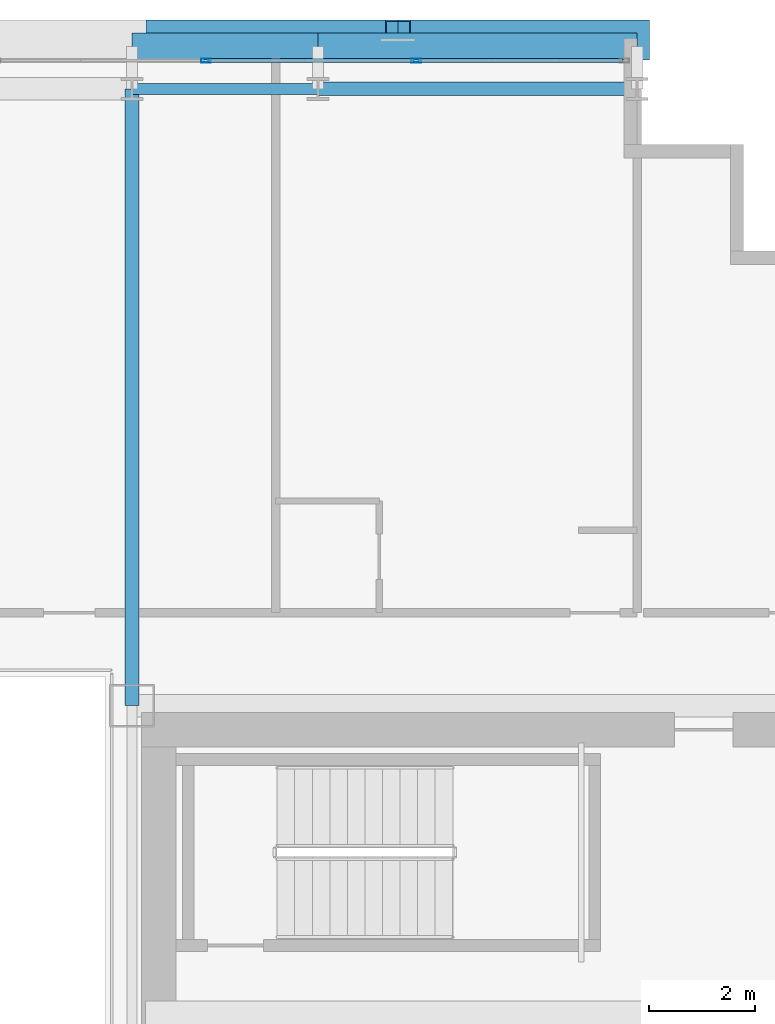
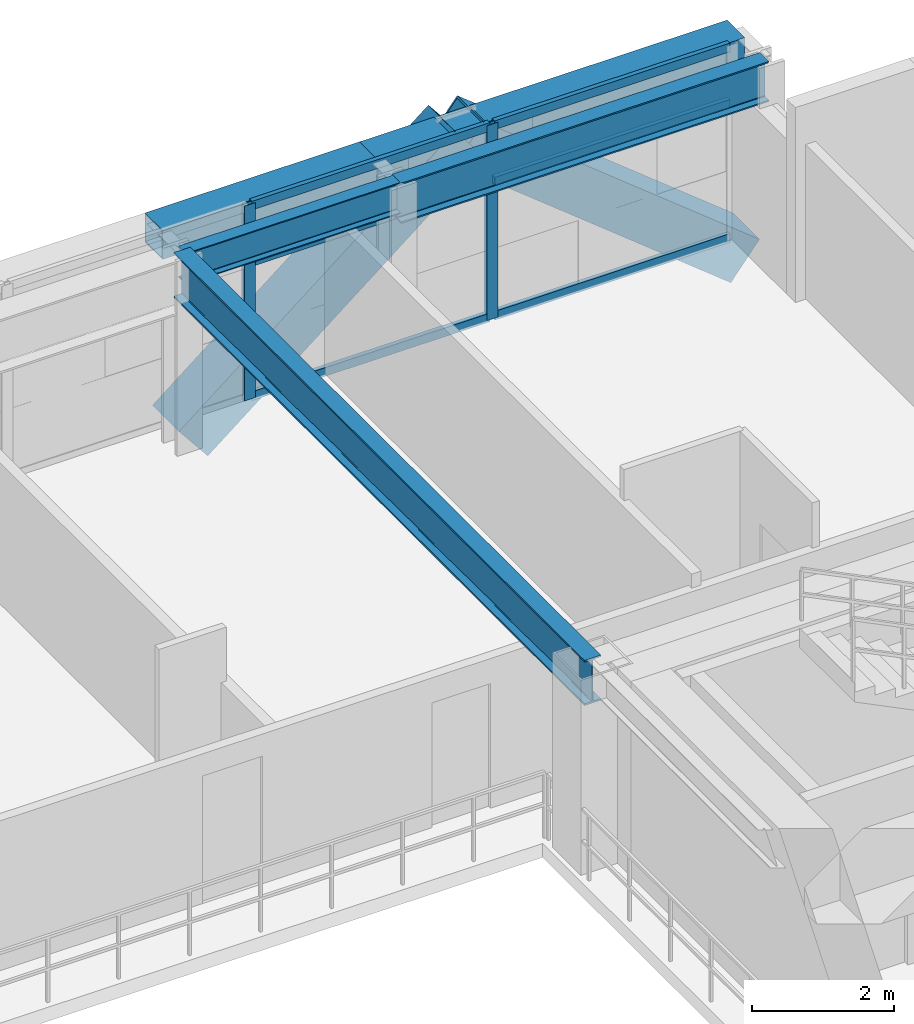
# One storey, part 21 of 34: 10 members, 5 beams, 1 element without a shape of its own.
"""IFC4 building model written with IfcOpenShell, lengths in metres."""

from ifc_helpers import new_model, si_unit, direction, frame, origin, origin_2d, place, context, subcontext, project, spatial, hollow_rectangle, i_section, extrude, source, transform, mapped, material, layer, layer_set, material_profile, profile_set, type_object, element, aggregate, save


model = new_model("IFC4")

# Units and contexts
model_context = context("Model", 3, precision=1e-05, world=origin(), true_north=direction((0.0, 1.0)))
body_context = subcontext(model_context, "Body", "Model", "MODEL_VIEW")
ifc_project = project(units=[si_unit("LENGTHUNIT", "METRE"), si_unit("AREAUNIT", "SQUARE_METRE"), si_unit("VOLUMEUNIT", "CUBIC_METRE"), si_unit("PLANEANGLEUNIT", "RADIAN"), si_unit("MASSUNIT", "GRAM", prefix="KILO")], contexts=[model_context])

# Site, building, storey
site_placement = place(None, origin())
site = spatial("IfcSite", under=ifc_project, at=site_placement, CompositionType="ELEMENT")
building_placement = place(site_placement, origin())
building = spatial("IfcBuilding", under=site, at=building_placement, Name="Ocotamira Hotel", CompositionType="ELEMENT")
storey_placement = place(building_placement, frame((0.0, 0.0, 111.60009765625)))
storey = spatial("IfcBuildingStorey", under=building, at=storey_placement, Name="L27", CompositionType="ELEMENT", Elevation=111.60009765625)

# Beams
ifc_material_1 = material(Name="Steel ASTM A992 Grade 50", Category="steel")
ifc_material_profile_1 = material_profile(ifc_material_1, i_section(OverallWidth=0.256103515625, OverallDepth=0.693115234375, WebThickness=0.014404296875, FlangeThickness=0.023681640625, FilletRadius=0.01611328125, at=origin_2d()), Name="W27X114")
ifc_profile_set_1 = profile_set([ifc_material_profile_1], Name="Steel ASTM A992 Grade 50")
beam_type_1 = type_object("IfcBeamType", Name="BM-PRIM-W27X114", PredefinedType="BEAM", material=ifc_profile_set_1)
shared_shape_1 = source(origin(), body_context, "Body", "SweptSolid", [
    extrude(i_section(OverallWidth=0.256103515625, OverallDepth=0.693115234375, WebThickness=0.014404296875, FlangeThickness=0.023681640625, FilletRadius=0.01611328125, at=origin_2d()), origin(), (0.0, 0.0, 1.0), 6.0),
])
beam_1_placement = place(storey_placement, frame((44.0, 49.050048828125, 3.013427734375), z_axis=(1.0, 0.0, 0.0), x_axis=(0.0, 1.0, 0.0)))
element("IfcBeam", 1, at=beam_1_placement, inside=storey, type_object=beam_type_1, Name="L27 Girder Y49.05 X44-50", PredefinedType="BEAM", context=body_context, shape_type="MappedRepresentation", body=[
    mapped(shared_shape_1, transform((0.0, 0.0, 0.0), scale=1.0)),
])
ifc_material_profile_2 = material_profile(ifc_material_1, i_section(OverallWidth=0.2099609375, OverallDepth=0.537109375, WebThickness=0.010986328125, FlangeThickness=0.017333984375, FilletRadius=0.012939453125, at=origin_2d()), Name="W21X68")
ifc_profile_set_2 = profile_set([ifc_material_profile_2], Name="Steel ASTM A992 Grade 50")
beam_type_2 = type_object("IfcBeamType", Name="BM-SEC-W21X68", PredefinedType="JOIST", material=ifc_profile_set_2)
shared_shape_2 = source(origin(), body_context, "Body", "SweptSolid", [
    extrude(i_section(OverallWidth=0.2099609375, OverallDepth=0.537109375, WebThickness=0.010986328125, FlangeThickness=0.017333984375, FilletRadius=0.012939453125, at=origin_2d()), origin(), (0.0, 0.0, 1.0), 3.5),
])
beam_2_placement = place(storey_placement, frame((40.5, 49.050048828125, 3.09130859375), z_axis=(1.0, 0.0, 0.0), x_axis=(0.0, 1.0, 0.0)))
element("IfcBeam", 2, at=beam_2_placement, inside=storey, type_object=beam_type_2, Name="L27 Girder Y49.05 X40.5-44", PredefinedType="JOIST", context=body_context, shape_type="MappedRepresentation", body=[
    mapped(shared_shape_2, transform((0.0, 0.0, 0.0), scale=1.0)),
])
ifc_material_profile_3 = material_profile(ifc_material_1, i_section(OverallWidth=0.26611328125, OverallDepth=0.779052734375, WebThickness=0.0166015625, FlangeThickness=0.030029296875, FilletRadius=0.01806640625, at=origin_2d()), Name="W30X148")
ifc_profile_set_3 = profile_set([ifc_material_profile_3], Name="Steel ASTM A992 Grade 50")
beam_type_3 = type_object("IfcBeamType", Name="BM-GIRD-W30X148", PredefinedType="BEAM", material=ifc_profile_set_3)
shared_shape_3 = source(origin(), body_context, "Body", "SweptSolid", [
    extrude(i_section(OverallWidth=0.26611328125, OverallDepth=0.779052734375, WebThickness=0.0166015625, FlangeThickness=0.030029296875, FilletRadius=0.01806640625, at=origin_2d()), origin(), (0.0, 0.0, 1.0), 11.60009765625),
])
beam_3_placement = place(storey_placement, frame((40.5, 37.449951171875, 2.970458984375), z_axis=(0.0, 1.0, 0.0), x_axis=(-1.0, 0.0, 0.0)))
element("IfcBeam", 3, at=beam_3_placement, inside=storey, type_object=beam_type_3, Name="L27 Beam X40.5 Y37.45-49.05", PredefinedType="BEAM", context=body_context, shape_type="MappedRepresentation", body=[
    mapped(shared_shape_3, transform((0.0, 0.0, 0.0), scale=1.0)),
])
ifc_material_2 = material(Name="Steel ASTM A500 Grade C", Category="steel")
ifc_material_profile_4 = material_profile(ifc_material_2, hollow_rectangle(XDim=0.5, YDim=0.5, WallThickness=0.02001953125, at=origin_2d()), Name="HSS500X500X20")
ifc_profile_set_4 = profile_set([ifc_material_profile_4], Name="Steel ASTM A500 Grade C")
beam_type_4 = type_object("IfcBeamType", Name="BM-SPAN-HSS500", PredefinedType="USERDEFINED", material=ifc_profile_set_4)
shared_shape_4 = source(origin(), body_context, "Body", "SweptSolid", [
    extrude(hollow_rectangle(XDim=0.5, YDim=0.5, WallThickness=0.02001953125, at=origin_2d()), origin(), (0.0, 0.0, 1.0), 6.0),
])
beam_4_placement = place(storey_placement, frame((44.0, 49.85009765625, 3.10986328125), z_axis=(1.0, 0.0, 0.0), x_axis=(0.0, 1.0, 0.0)))
element("IfcBeam", 4, at=beam_4_placement, inside=storey, type_object=beam_type_4, Name="L27 Edge Spandrel N X44-50", ObjectType="SPANDREL", PredefinedType="USERDEFINED", context=body_context, shape_type="MappedRepresentation", body=[
    mapped(shared_shape_4, transform((0.0, 0.0, 0.0), scale=1.0)),
])
shared_shape_5 = source(origin(), body_context, "Body", "SweptSolid", [
    extrude(hollow_rectangle(XDim=0.5, YDim=0.5, WallThickness=0.02001953125, at=origin_2d()), origin(), (0.0, 0.0, 1.0), 3.5),
])
beam_5_placement = place(storey_placement, frame((40.5, 49.85009765625, 3.10986328125), z_axis=(1.0, 0.0, 0.0), x_axis=(0.0, 1.0, 0.0)))
element("IfcBeam", 5, at=beam_5_placement, inside=storey, type_object=beam_type_4, Name="L27 Edge Spandrel N X40.5-44", ObjectType="SPANDREL", PredefinedType="USERDEFINED", context=body_context, shape_type="MappedRepresentation", body=[
    mapped(shared_shape_5, transform((0.0, 0.0, 0.0), scale=1.0)),
])

# Members
ifc_material_3 = material(Name="Pale-metal coated steel ASTM A913 Grade 65", Category="steel")
ifc_material_profile_5 = material_profile(ifc_material_3, hollow_rectangle(XDim=0.75, YDim=0.75, WallThickness=0.028076171875, at=origin_2d()), Name="BOX750X750X28")
ifc_profile_set_5 = profile_set([ifc_material_profile_5], Name="Pale-metal coated steel ASTM A913 Grade 65")
member_type_1 = type_object("IfcMemberType", Name="MEM-EXO-BOX750", PredefinedType="BRACE", material=ifc_profile_set_5)
shared_shape_6 = source(origin(), body_context, "Body", "SweptSolid", [
    extrude(hollow_rectangle(XDim=0.75, YDim=0.75, WallThickness=0.028076171875, at=origin_2d()), origin(), (0.0, 0.0, 1.0), 5.7626953125),
])
for number, where, z_axis, x_axis, name in (
    (6, (41.0, 49.969970703125, -0.489990234375), (0.780881208953, 0.0, 0.624679547852), (0.0, 1.0, 0.0), "L27 Exoskeleton Diagrid N3.1"),
    (7, (50.0, 49.969970703125, -0.489990234375), (-0.780881208953, 0.0, 0.624679547852), (0.0, -1.0, 0.0), "L27 Exoskeleton Diagrid N3.2"),
):
    element("IfcMember", number, at=place(storey_placement, frame(where, z_axis=z_axis, x_axis=x_axis)), inside=storey, type_object=member_type_1, Name=name, PredefinedType="BRACE", context=body_context, shape_type="MappedRepresentation", body=[
        mapped(shared_shape_6, transform((0.0, 0.0, 0.0), scale=1.0)),
    ])

# Curtain wall, members
ifc_material_4 = material(Name="Anodised pale-metal aluminium and solar glass", Category="aluminium")
ifc_layer = layer(ifc_material_4, 0.179931640625)
ifc_layer_set = layer_set([ifc_layer], Name="Anodised pale-metal aluminium and solar glass")
curtain_wall_type = type_object("IfcCurtainWallType", Name="CW-SYS3-Z2", PredefinedType="NOTDEFINED", material=ifc_layer_set)
curtain_wall_placement = place(storey_placement, origin())
curtain_wall = element("IfcCurtainWall", 8, at=curtain_wall_placement, inside=storey, type_object=curtain_wall_type, Name="L27 Curtain Wall CW-3 CW-L27-N", PredefinedType="NOTDEFINED")
ifc_material_5 = material(Name="Anodised pale-metal aluminium 6063-T6", Category="aluminium")
ifc_material_profile_6 = material_profile(ifc_material_5, hollow_rectangle(XDim=0.074951171875, YDim=0.14990234375, WallThickness=0.006103515625, at=origin_2d()), Name="HSS150X75X6")
ifc_profile_set_6 = profile_set([ifc_material_profile_6], Name="Anodised pale-metal aluminium 6063-T6")
member_type_2 = type_object("IfcMemberType", Name="CWT-150X75", PredefinedType="USERDEFINED", material=ifc_profile_set_6)
shared_shape_7 = source(origin(), body_context, "Body", "SweptSolid", [
    extrude(hollow_rectangle(XDim=0.074951171875, YDim=0.14990234375, WallThickness=0.006103515625, at=origin_2d()), origin(), (0.0, 0.0, 1.0), 3.83544921875),
])
member_1_placement = place(storey_placement, frame((45.884521484375, 49.580078125, 0.037353515625), z_axis=(1.0, 0.0, 0.0), x_axis=(0.0, 1.0, 0.0)))
member_1 = element("IfcMember", 9, at=member_1_placement, type_object=member_type_2, Name="CW-3 transom 9.1", ObjectType="TRANSOM", PredefinedType="USERDEFINED", context=body_context, shape_type="MappedRepresentation", body=[
    mapped(shared_shape_7, transform((0.0, 0.0, 0.0), scale=1.0)),
])
member_2_placement = place(storey_placement, frame((45.884521484375, 49.580078125, 2.349853515625), z_axis=(1.0, 0.0, 0.0), x_axis=(0.0, 1.0, 0.0)))
member_2 = element("IfcMember", 10, at=member_2_placement, type_object=member_type_2, Name="CW-3 transom 9.2", ObjectType="TRANSOM", PredefinedType="USERDEFINED", context=body_context, shape_type="MappedRepresentation", body=[
    mapped(shared_shape_7, transform((0.0, 0.0, 0.0), scale=1.0)),
])
member_3_placement = place(storey_placement, frame((45.884521484375, 49.580078125, 3.322509765625), z_axis=(1.0, 0.0, 0.0), x_axis=(0.0, 1.0, 0.0)))
member_3 = element("IfcMember", 11, at=member_3_placement, type_object=member_type_2, Name="CW-3 transom 9.3", ObjectType="TRANSOM", PredefinedType="USERDEFINED", context=body_context, shape_type="MappedRepresentation", body=[
    mapped(shared_shape_7, transform((0.0, 0.0, 0.0), scale=1.0)),
])
shared_shape_8 = source(origin(), body_context, "Body", "SweptSolid", [
    extrude(hollow_rectangle(XDim=0.074951171875, YDim=0.14990234375, WallThickness=0.006103515625, at=origin_2d()), origin(), (0.0, 0.0, 1.0), 3.87548828125),
])
member_4_placement = place(storey_placement, frame((41.928955078125, 49.580078125, 0.037353515625), z_axis=(1.0, 0.0, 0.0), x_axis=(0.0, 1.0, 0.0)))
member_4 = element("IfcMember", 12, at=member_4_placement, type_object=member_type_2, Name="CW-3 transom 8.1", ObjectType="TRANSOM", PredefinedType="USERDEFINED", context=body_context, shape_type="MappedRepresentation", body=[
    mapped(shared_shape_8, transform((0.0, 0.0, 0.0), scale=1.0)),
])
member_5_placement = place(storey_placement, frame((41.928955078125, 49.580078125, 2.349853515625), z_axis=(1.0, 0.0, 0.0), x_axis=(0.0, 1.0, 0.0)))
member_5 = element("IfcMember", 13, at=member_5_placement, type_object=member_type_2, Name="CW-3 transom 8.2", ObjectType="TRANSOM", PredefinedType="USERDEFINED", context=body_context, shape_type="MappedRepresentation", body=[
    mapped(shared_shape_8, transform((0.0, 0.0, 0.0), scale=1.0)),
])
member_6_placement = place(storey_placement, frame((41.928955078125, 49.580078125, 3.322509765625), z_axis=(1.0, 0.0, 0.0), x_axis=(0.0, 1.0, 0.0)))
member_6 = element("IfcMember", 14, at=member_6_placement, type_object=member_type_2, Name="CW-3 transom 8.3", ObjectType="TRANSOM", PredefinedType="USERDEFINED", context=body_context, shape_type="MappedRepresentation", body=[
    mapped(shared_shape_8, transform((0.0, 0.0, 0.0), scale=1.0)),
])
ifc_material_profile_7 = material_profile(ifc_material_5, hollow_rectangle(XDim=0.080078125, YDim=0.179931640625, WallThickness=0.006103515625, at=origin_2d()), Name="HSS180X80X6")
ifc_profile_set_7 = profile_set([ifc_material_profile_7], Name="Anodised pale-metal aluminium 6063-T6")
member_type_3 = type_object("IfcMemberType", Name="CWM-180X75", PredefinedType="MULLION", material=ifc_profile_set_7)
shared_shape_9 = source(origin(), body_context, "Body", "SweptSolid", [
    extrude(hollow_rectangle(XDim=0.080078125, YDim=0.179931640625, WallThickness=0.006103515625, at=origin_2d()), origin(), (0.0, 0.0, 1.0), 3.35986328125),
])
member_7_placement = place(storey_placement, frame((41.888916015625, 49.580078125, 0.0), z_axis=(0.0, 0.0, 1.0), x_axis=(0.0, 1.0, 0.0)))
member_7 = element("IfcMember", 15, at=member_7_placement, type_object=member_type_3, Name="CW-3 mullion 8", PredefinedType="MULLION", context=body_context, shape_type="MappedRepresentation", body=[
    mapped(shared_shape_9, transform((0.0, 0.0, 0.0), scale=1.0)),
])
member_8_placement = place(storey_placement, frame((45.844482421875, 49.580078125, 0.0), z_axis=(0.0, 0.0, 1.0), x_axis=(0.0, 1.0, 0.0)))
member_8 = element("IfcMember", 16, at=member_8_placement, type_object=member_type_3, Name="CW-3 mullion 9", PredefinedType="MULLION", context=body_context, shape_type="MappedRepresentation", body=[
    mapped(shared_shape_9, transform((0.0, 0.0, 0.0), scale=1.0)),
])
aggregate(curtain_wall, [member_7, member_8, member_4, member_5, member_6, member_1, member_2, member_3])

save(model, "model.ifc")
